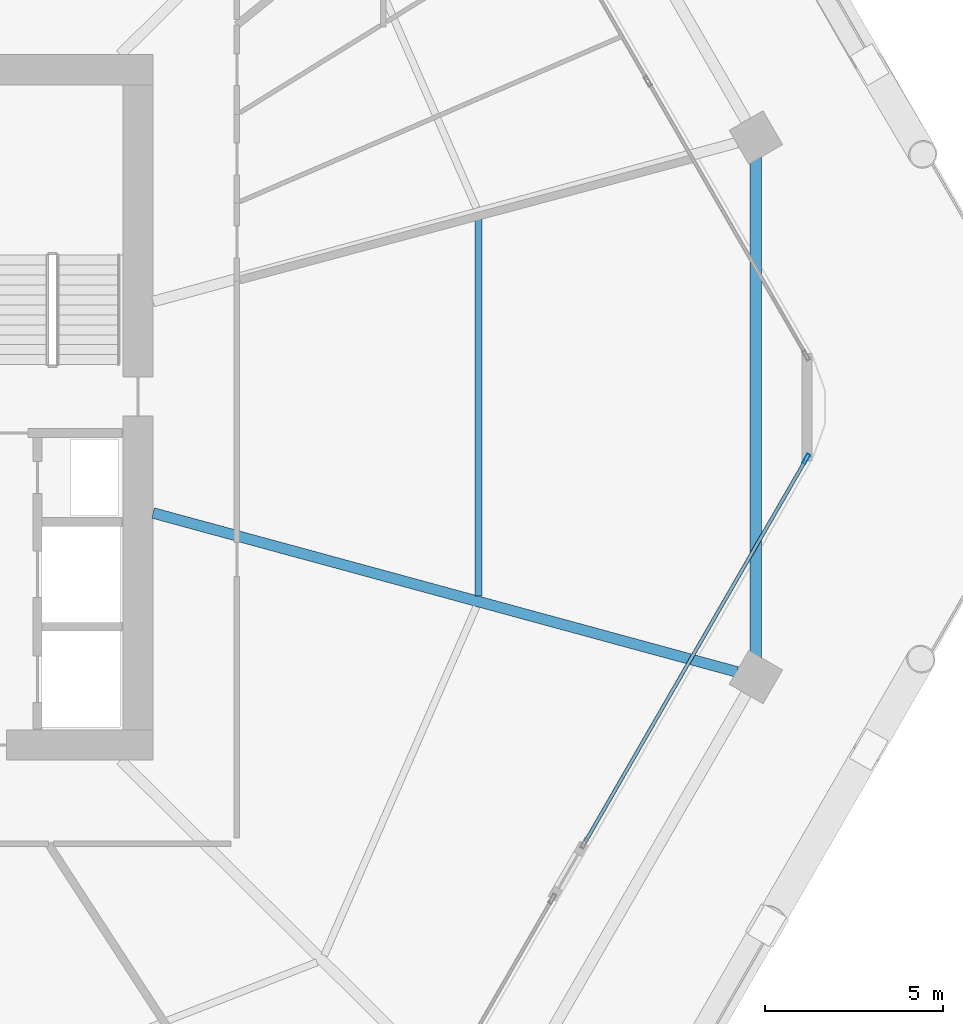
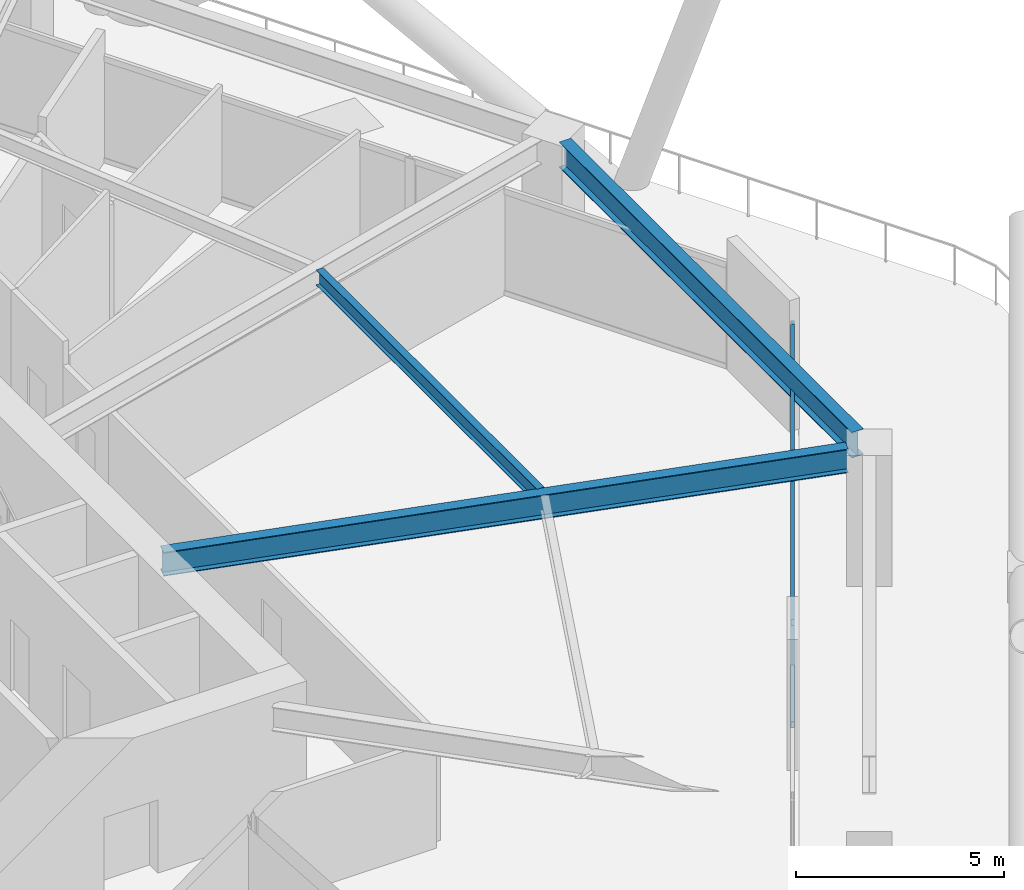
# One storey, part 11 of 28: 3 beams, 3 members, 1 element without a shape of its own.
"""IFC4 building model written with IfcOpenShell, lengths in metres."""

from ifc_helpers import new_model, si_unit, direction, frame, origin, origin_2d, place, context, subcontext, project, spatial, hollow_rectangle, i_section, extrude, material, material_profile, profile_set, type_object, element, aggregate, save


model = new_model("IFC4")

# Units and contexts
model_context = context("Model", 3, precision=1e-05, world=origin(), true_north=direction((0.0, 1.0)))
body_context = subcontext(model_context, "Body", "Model", "MODEL_VIEW")
ifc_project = project(units=[si_unit("LENGTHUNIT", "METRE"), si_unit("AREAUNIT", "SQUARE_METRE"), si_unit("VOLUMEUNIT", "CUBIC_METRE"), si_unit("PLANEANGLEUNIT", "RADIAN"), si_unit("MASSUNIT", "GRAM", prefix="KILO")], contexts=[model_context])

# Site, building, storey
site_placement = place(None, origin())
site = spatial("IfcSite", under=ifc_project, at=site_placement, CompositionType="ELEMENT")
building_placement = place(site_placement, origin())
building = spatial("IfcBuilding", under=site, at=building_placement, Name="Zuhravey Tower", CompositionType="ELEMENT")
storey_placement = place(building_placement, frame((0.0, 0.0, 83.39990234375)))
storey = spatial("IfcBuildingStorey", under=building, at=storey_placement, Name="L20", CompositionType="ELEMENT", Elevation=83.39990234375)

# Curtain wall, member
ifc_material_1 = material(Name="Thermally broken anodised aluminium", Category="aluminium")
curtain_wall_type = type_object("IfcCurtainWallType", Name="Sky-Playground Recessed Curtain Wall CW2", PredefinedType="NOTDEFINED", material=ifc_material_1)
curtain_wall_placement = place(storey_placement, origin())
curtain_wall = element("IfcCurtainWall", 1, at=curtain_wall_placement, inside=storey, type_object=curtain_wall_type, Name="L20 CW2 CW-L20-F6-1", PredefinedType="NOTDEFINED")
ifc_material_2 = material(Name="Anodised aluminium", Category="aluminium")
ifc_material_profile_1 = material_profile(ifc_material_2, hollow_rectangle(XDim=0.10009765625, YDim=0.2900390625, WallThickness=0.006103515625, at=origin_2d()), Name="ALU-RHS-100x290x6")
ifc_profile_set_1 = profile_set([ifc_material_profile_1], Name="Anodised aluminium")
member_type_1 = type_object("IfcMemberType", Name="Heavy Tall-Storey Mullion 100x220", PredefinedType="MULLION", material=ifc_profile_set_1)
member_1_placement = place(storey_placement, frame((65.306884765625, 30.544189453125, 0.0), z_axis=(0.0, 0.0, 1.0), x_axis=(0.866027160758, -0.499996956819, 0.0)))
member_1 = element("IfcMember", 2, at=member_1_placement, type_object=member_type_1, Name="CW2 mullion 1", PredefinedType="MULLION", context=body_context, shape_type="SweptSolid", body=[
    extrude(hollow_rectangle(XDim=0.10009765625, YDim=0.2900390625, WallThickness=0.006103515625, at=origin_2d()), origin(), (0.0, 0.0, 1.0), 3.10009765625),
])

# Beams
ifc_material_3 = material(Name="Steel SM355", Category="steel")
ifc_material_profile_2 = material_profile(ifc_material_3, i_section(OverallWidth=0.320068359375, OverallDepth=0.75, WebThickness=0.013916015625, FlangeThickness=0.02490234375, at=origin_2d()), Name="H-750x320x14x25")
ifc_profile_set_2 = profile_set([ifc_material_profile_2], Name="Steel SM355")
beam_type_1 = type_object("IfcBeamType", Name="Perimeter Ring Beam H750x320", PredefinedType="BEAM", material=ifc_profile_set_2)
beam_1_placement = place(storey_placement, frame((63.88916015625, 24.96142578125, 3.47509765625), z_axis=(0.0, 1.0, 0.0), x_axis=(-1.0, 0.0, 0.0)))
element("IfcBeam", 3, at=beam_1_placement, inside=storey, type_object=beam_type_1, Name="L20 PB1 BM-L20-PB-12", PredefinedType="BEAM", context=body_context, shape_type="SweptSolid", body=[
    extrude(i_section(OverallWidth=0.320068359375, OverallDepth=0.75, WebThickness=0.013916015625, FlangeThickness=0.02490234375, at=origin_2d()), origin(), (0.0, 0.0, 1.0), 14.0771484375),
])
ifc_material_profile_3 = material_profile(ifc_material_3, i_section(OverallWidth=0.300048828125, OverallDepth=0.699951171875, WebThickness=0.012939453125, FlangeThickness=0.02392578125, at=origin_2d()), Name="H-700x300x13x24")
ifc_profile_set_3 = profile_set([ifc_material_profile_3], Name="Steel SM355")
beam_type_2 = type_object("IfcBeamType", Name="Radial Primary Girder H700x300", PredefinedType="BEAM", material=ifc_profile_set_3)
beam_2_placement = place(storey_placement, frame((46.927978515625, 29.025390625, 3.5), z_axis=(0.964891112932, -0.262650224032, 0.0), x_axis=(0.262650224032, 0.964891112932, 0.0)))
element("IfcBeam", 4, at=beam_2_placement, inside=storey, type_object=beam_type_2, Name="L20 RG1 BM-L20-RAD-12", PredefinedType="BEAM", context=body_context, shape_type="SweptSolid", body=[
    extrude(i_section(OverallWidth=0.300048828125, OverallDepth=0.699951171875, WebThickness=0.012939453125, FlangeThickness=0.02392578125, at=origin_2d()), origin(), (0.0, 0.0, 1.0), 17.025146484375),
])
ifc_material_profile_4 = material_profile(ifc_material_3, i_section(OverallWidth=0.199951171875, OverallDepth=0.449951171875, WebThickness=0.009033203125, FlangeThickness=0.013916015625, at=origin_2d()), Name="H-450x200x9x14")
ifc_profile_set_4 = profile_set([ifc_material_profile_4], Name="Steel SM355")
beam_type_3 = type_object("IfcBeamType", Name="Secondary Floor Joist H450x200", PredefinedType="JOIST", material=ifc_profile_set_4)
beam_3_placement = place(storey_placement, frame((56.0869140625, 26.686279296875, 3.625), z_axis=(0.0, 1.0, 0.0), x_axis=(-1.0, 0.0, 0.0)))
element("IfcBeam", 5, at=beam_3_placement, inside=storey, type_object=beam_type_3, Name="L20 SJ1 BM-L20-SJ-12-1", PredefinedType="JOIST", context=body_context, shape_type="SweptSolid", body=[
    extrude(i_section(OverallWidth=0.199951171875, OverallDepth=0.449951171875, WebThickness=0.009033203125, FlangeThickness=0.013916015625, at=origin_2d()), origin(), (0.0, 0.0, 1.0), 10.62744140625),
])

# Member
ifc_material_profile_5 = material_profile(ifc_material_2, hollow_rectangle(XDim=0.10009765625, YDim=0.179931640625, WallThickness=0.006103515625, at=origin_2d()), Name="ALU-RHS-100x180x6")
ifc_profile_set_5 = profile_set([ifc_material_profile_5], Name="Anodised aluminium")
member_type_2 = type_object("IfcMemberType", Name="Tall-Storey Transom 100x180", PredefinedType="USERDEFINED", material=ifc_profile_set_5)
member_2_placement = place(storey_placement, frame((65.281982421875, 30.5009765625, 0.050048828125), z_axis=(-0.499995303914, -0.866028115054, 0.0), x_axis=(0.866028115054, -0.499995303914, 0.0)))
member_2 = element("IfcMember", 6, at=member_2_placement, type_object=member_type_2, Name="CW2 transom 1.1", ObjectType="TRANSOM", PredefinedType="USERDEFINED", context=body_context, shape_type="SweptSolid", body=[
    extrude(hollow_rectangle(XDim=0.10009765625, YDim=0.179931640625, WallThickness=0.006103515625, at=origin_2d()), origin(), (0.0, 0.0, 1.0), 12.392578125),
])

member_3_placement = place(storey_placement, frame((65.281982421875, 30.5009765625, 3.050048828125), z_axis=(-0.499995303914, -0.866028115054, 0.0), x_axis=(0.866028115054, -0.499995303914, 0.0)))
member_3 = element("IfcMember", 7, at=member_3_placement, type_object=member_type_2, Name="CW2 transom 1.2", ObjectType="TRANSOM", PredefinedType="USERDEFINED", context=body_context, shape_type="SweptSolid", body=[
    extrude(hollow_rectangle(XDim=0.10009765625, YDim=0.179931640625, WallThickness=0.006103515625, at=origin_2d()), origin(), (0.0, 0.0, 1.0), 12.392578125),
])

aggregate(curtain_wall, [member_1, member_2, member_3])

save(model, "model.ifc")
